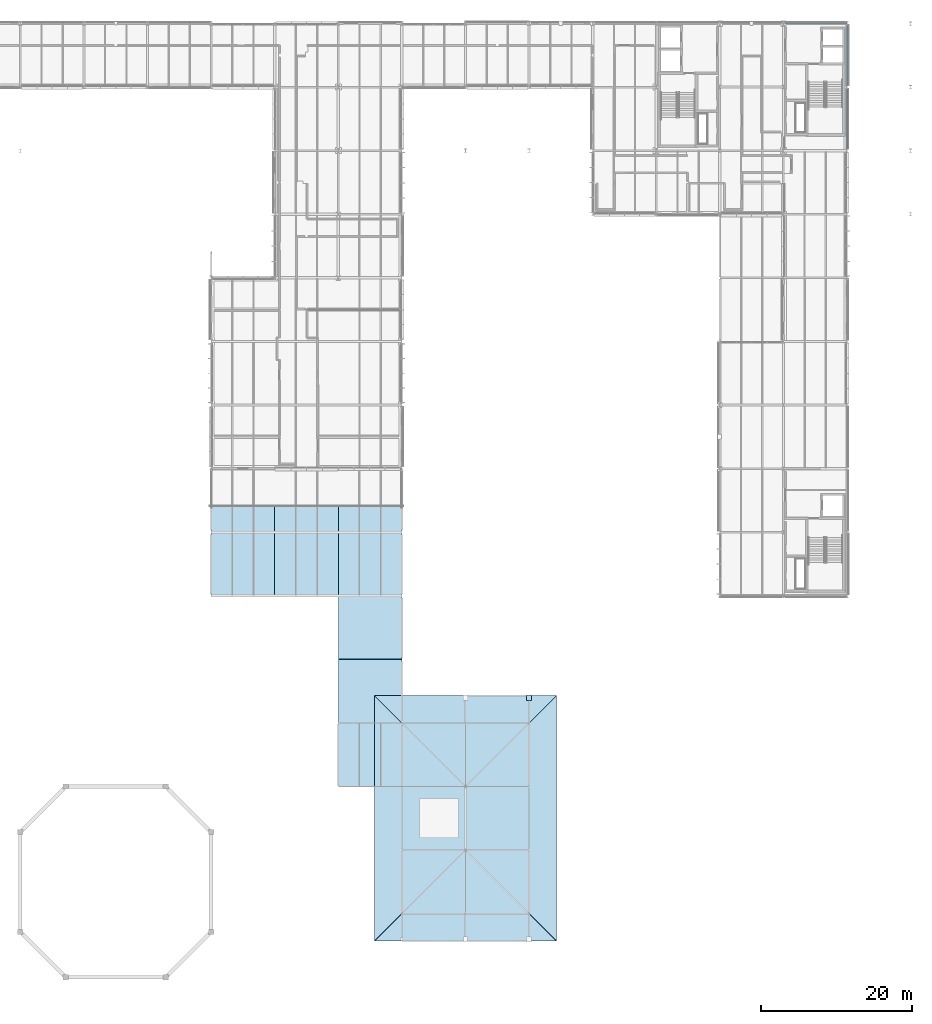
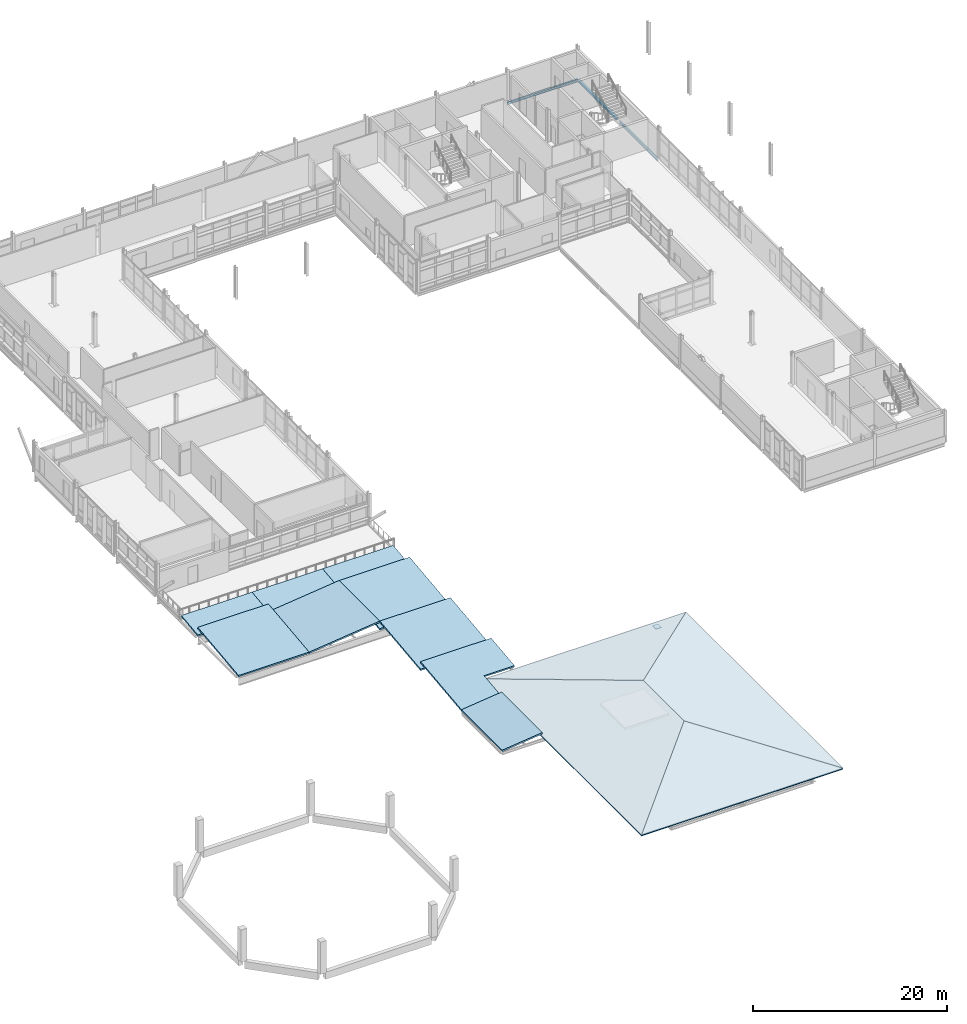
# One storey, part 73 of 103: 13 slabs, 3 beams, 1 plate, 1 element without a shape of its own.
"""IFC4 building model written with IfcOpenShell, lengths in metres."""

from ifc_helpers import new_model, si_unit, direction, frame, origin, origin_2d, place, context, subcontext, project, spatial, polyline, rectangle, i_section, outline, extrude, material, layer, layer_set, material_profile, profile_set, type_object, element, aggregate, save


model = new_model("IFC4")

# Units and contexts
model_context = context("Model", 3, precision=1e-05, world=origin(), true_north=direction((0.0, 1.0)))
body_context = subcontext(model_context, "Body", "Model", "MODEL_VIEW")
ifc_project = project(units=[si_unit("LENGTHUNIT", "METRE"), si_unit("AREAUNIT", "SQUARE_METRE"), si_unit("VOLUMEUNIT", "CUBIC_METRE"), si_unit("PLANEANGLEUNIT", "RADIAN"), si_unit("MASSUNIT", "GRAM", prefix="KILO")], contexts=[model_context])

# Site, building, storey
site_placement = place(None, origin())
site = spatial("IfcSite", under=ifc_project, at=site_placement, CompositionType="ELEMENT")
building_placement = place(site_placement, origin())
building = spatial("IfcBuilding", under=site, at=building_placement, Name="Mersafa Astral City Hall", CompositionType="ELEMENT")
storey_placement = place(building_placement, frame((0.0, 0.0, 18.0)))
storey = spatial("IfcBuildingStorey", under=building, at=storey_placement, Name="L04", CompositionType="ELEMENT", Elevation=18.0)

# Beams
ifc_material_1 = material(Name="Steel S355", Category="steel")
ifc_material_profile_1 = material_profile(ifc_material_1, i_section(OverallWidth=0.280029296875, OverallDepth=0.27001953125, WebThickness=0.008056640625, FlangeThickness=0.012939453125, FilletRadius=0.02392578125, at=origin_2d()), Name="HEA 280")
ifc_profile_set_1 = profile_set([ifc_material_profile_1], Name="Steel S355")
beam_type_1 = type_object("IfcBeamType", Name="STR-BM-SPANDREL-HEA280", PredefinedType="SPANDREL", material=ifc_profile_set_1)
beam_1_placement = place(storey_placement, frame((176.39990234375, 117.844970703125, -0.320068359375), z_axis=(0.0, 1.0, 0.0), x_axis=(-1.0, 0.0, 0.0)))
element("IfcBeam", 1, at=beam_1_placement, inside=storey, type_object=beam_type_1, Name="L04 Primary girder Y 21-14", PredefinedType="SPANDREL", context=body_context, shape_type="SweptSolid", body=[
    extrude(i_section(OverallWidth=0.280029296875, OverallDepth=0.27001953125, WebThickness=0.008056640625, FlangeThickness=0.012939453125, FilletRadius=0.02392578125, at=origin_2d()), origin(), (0.0, 0.0, 1.0), 7.909912109375),
])
ifc_material_profile_2 = material_profile(ifc_material_1, i_section(OverallWidth=0.159912109375, OverallDepth=0.330078125, WebThickness=0.007568359375, FlangeThickness=0.011474609375, FilletRadius=0.01806640625, at=origin_2d()), Name="IPE 330")
ifc_profile_set_2 = profile_set([ifc_material_profile_2], Name="Steel S355")
beam_type_2 = type_object("IfcBeamType", Name="STR-BM-SPANDREL-IPE330", PredefinedType="SPANDREL", material=ifc_profile_set_2)
beam_2_placement = place(storey_placement, frame((168.0029296875, 126.0, -0.35009765625), z_axis=(1.0, 0.0, 0.0), x_axis=(0.0, 1.0, 0.0)))
element("IfcBeam", 2, at=beam_2_placement, inside=storey, type_object=beam_type_2, Name="L04 Primary girder X 20-15", PredefinedType="SPANDREL", context=body_context, shape_type="SweptSolid", body=[
    extrude(i_section(OverallWidth=0.159912109375, OverallDepth=0.330078125, WebThickness=0.007568359375, FlangeThickness=0.011474609375, FilletRadius=0.01806640625, at=origin_2d()), origin(), (0.0, 0.0, 1.0), 8.39404296875),
])
ifc_material_profile_3 = material_profile(ifc_material_1, i_section(OverallWidth=0.169921875, OverallDepth=0.360107421875, WebThickness=0.008056640625, FlangeThickness=0.0126953125, FilletRadius=0.01806640625, at=origin_2d()), Name="IPE 360")
ifc_profile_set_3 = profile_set([ifc_material_profile_3], Name="Steel S355")
beam_type_3 = type_object("IfcBeamType", Name="STR-BM-SPANDREL-IPE360", PredefinedType="SPANDREL", material=ifc_profile_set_3)
beam_3_placement = place(storey_placement, frame((176.39990234375, 109.445068359375, -0.364990234375), z_axis=(0.0, 1.0, 0.0), x_axis=(-1.0, 0.0, 0.0)))
element("IfcBeam", 3, at=beam_3_placement, inside=storey, type_object=beam_type_3, Name="L04 Primary girder Y 21-13", PredefinedType="SPANDREL", context=body_context, shape_type="SweptSolid", body=[
    extrude(i_section(OverallWidth=0.169921875, OverallDepth=0.360107421875, WebThickness=0.008056640625, FlangeThickness=0.0126953125, FilletRadius=0.01806640625, at=origin_2d()), origin(), (0.0, 0.0, 1.0), 7.909912109375),
])

# Plate
ifc_layer_1 = layer(ifc_material_1, 0.02587890625, Name="Steel S355")
ifc_layer_set_1 = layer_set([ifc_layer_1], Name="Steel S355 — STR-PLT-NP-13")
plate_type = type_object("IfcPlateType", Name="STR-PLT-NP-13", PredefinedType="SHEET", material=ifc_layer_set_1)
plate_placement = place(storey_placement, frame((134.39990234375, 36.949951171875, -0.4228515625), z_axis=(0.0, 0.0, 1.0), x_axis=(1.0, 0.0, 0.0)))
element("IfcPlate", 4, at=plate_placement, inside=storey, type_object=plate_type, Name="L04 Structural steel eave strut node plate NP-13", PredefinedType="SHEET", context=body_context, shape_type="SweptSolid", body=[
    extrude(rectangle(XDim=0.659912109375, YDim=0.760009765625, at=origin_2d()), origin(), (0.0, 0.0, 1.0), 0.02587890625),
])

# Slabs
ifc_material_2 = material(Name="Concrete C40/50", Category="concrete")
ifc_layer_2 = layer(ifc_material_2, 0.199951171875, Name="Concrete C40/50")
ifc_layer_set_2 = layer_set([ifc_layer_2], Name="Concrete C40/50 — STR-SLAB-ROOF-200")
slab_type_1 = type_object("IfcSlabType", Name="STR-SLAB-ROOF-200", PredefinedType="ROOF", material=ifc_layer_set_2)
slab_1_placement = place(storey_placement, frame((92.39990234375, 50.39990234375, 0.0), z_axis=(0.0, -0.114252579763, 0.993451734116), x_axis=(1.0, 0.0, 0.0)))
element("IfcSlab", 5, at=slab_1_placement, inside=storey, type_object=slab_type_1, Name="L04 Scupper-sloped wing roof slab 1-1", PredefinedType="ROOF", context=body_context, shape_type="SweptSolid", body=[
    extrude(outline(polyline([(0.0, 0.0), (8.400146484375, 0.0), (8.400146484375, 8.45551544771514), (0.0, 8.45551544771514), (0.0, 0.0)])), origin(), (0.0, 0.0, -1.0), 0.199951171875),
])
slab_2_placement = place(storey_placement, frame((92.39990234375, 62.19189453125, 0.39013671875), z_axis=(0.0, -0.114268547923, 0.993449897557), x_axis=(0.0, -0.993449897557, -0.114268547923)))
element("IfcSlab", 6, at=slab_2_placement, inside=storey, type_object=slab_type_1, Name="L04 Scupper-sloped wing roof slab 1-2", PredefinedType="ROOF", context=body_context, shape_type="SweptSolid", body=[
    extrude(outline(polyline([(0.0, 0.0), (3.4142091226409295, 0.0), (3.4142091226409295, 8.400146484375), (0.0, 8.400146484375), (0.0, 0.0)])), origin(), (0.0, 0.0, -1.0), 0.199951171875),
])
slab_3_placement = place(storey_placement, frame((100.800048828125, 50.39990234375, 0.0), z_axis=(-0.11425585713, 0.0, 0.993451357194), x_axis=(0.993451357194, 0.0, 0.11425585713)))
element("IfcSlab", 7, at=slab_3_placement, inside=storey, type_object=slab_type_1, Name="L04 Scupper-sloped wing roof slab 1-3", PredefinedType="ROOF", context=body_context, shape_type="SweptSolid", body=[
    extrude(outline(polyline([(0.0, 0.0), (8.455272905833876, 0.0), (8.455272905833876, 8.400146484375002), (0.0, 8.400146484375002), (0.0, 0.0)])), origin(), (0.0, 0.0, -1.0), 0.199951171875),
])
slab_4_placement = place(storey_placement, frame((109.199951171875, 62.19189453125, 0.39013671875), z_axis=(0.0, -0.114268547923, 0.993449897557), x_axis=(-1.0, 0.0, 0.0)))
element("IfcSlab", 8, at=slab_4_placement, inside=storey, type_object=slab_type_1, Name="L04 Scupper-sloped wing roof slab 1-4", PredefinedType="ROOF", context=body_context, shape_type="SweptSolid", body=[
    extrude(outline(polyline([(0.0, 0.0), (8.39990234375, 0.0), (8.39990234375, 3.4142091226409295), (0.0, 3.4142091226409295), (0.0, 0.0)])), origin(), (0.0, 0.0, -1.0), 0.199951171875),
])
slab_5_placement = place(storey_placement, frame((113.991943359375, 25.199951171875, 0.551025390625), z_axis=(-0.114236033144, 0.0, 0.993453636931), x_axis=(0.0, 1.0, 0.0)))
element("IfcSlab", 9, at=slab_5_placement, inside=storey, type_object=slab_type_1, Name="L04 Scupper-sloped wing roof slab 1-5", PredefinedType="ROOF", context=body_context, shape_type="SweptSolid", body=[
    extrude(outline(polyline([(0.0, 0.0), (8.400146484375, 0.0), (8.400146484375, 4.8235690216036575), (0.0, 4.8235690216036575), (0.0, 0.0)])), origin(), (0.0, 0.0, -1.0), 0.199951171875),
])
slab_6_placement = place(storey_placement, frame((117.60009765625, 37.2080078125, 0.414794921875), z_axis=(1.0677446e-05, -0.114264910305, 0.993450315899), x_axis=(-2.27e-10, 0.993450315955, 0.114264910312)))
element("IfcSlab", 10, at=slab_6_placement, inside=storey, type_object=slab_type_1, Name="L04 Scupper-sloped wing roof slab 1-6", PredefinedType="ROOF", context=body_context, shape_type="SweptSolid", body=[
    extrude(outline(polyline([(0.0, 0.0), (4.823596916272513, 0.0), (4.823596918175329, 8.40014648389616), (-3.6316759873074678, 8.400146486634178), (-3.631675988392958, 3.6081542994073406), (8.173253513069961e-10, 3.6081542966693214), (0.0, 0.0)])), origin(), (0.0, 0.0, -1.0), 0.199951171875),
])
slab_7_placement = place(storey_placement, frame((109.199951171875, 50.39990234375, 0.966064453125), z_axis=(0.0, -0.11425585713, 0.993451357194), x_axis=(0.0, -0.993451357194, -0.11425585713)))
element("IfcSlab", 11, at=slab_7_placement, inside=storey, type_object=slab_type_1, Name="L04 Scupper-sloped wing roof slab 1-7", PredefinedType="ROOF", context=body_context, shape_type="SweptSolid", body=[
    extrude(outline(polyline([(0.0, 0.0), (8.455272905833876, 0.0), (8.455272905833876, 8.400146484375002), (0.0, 8.400146484375002), (0.0, 0.0)])), origin(), (0.0, 0.0, -1.0), 0.199951171875),
])
slab_8_placement = place(storey_placement, frame((117.60009765625, 50.39990234375, 0.0), z_axis=(0.0, -0.114252579763, 0.993451734116), x_axis=(0.0, 0.993451734116, 0.114252579763)))
element("IfcSlab", 12, at=slab_8_placement, inside=storey, type_object=slab_type_1, Name="L04 Scupper-sloped wing roof slab 1-8", PredefinedType="ROOF", context=body_context, shape_type="SweptSolid", body=[
    extrude(outline(polyline([(0.0, 0.0), (8.455515447715142, 0.0), (8.455515447715142, 8.400146484374998), (0.0, 8.400146484374998), (0.0, 0.0)])), origin(), (0.0, 0.0, -1.0), 0.199951171875),
])
slab_9_placement = place(storey_placement, frame((117.60009765625, 62.19189453125, 0.39013671875), z_axis=(0.0, -0.114268547923, 0.993449897557), x_axis=(-1.0, 0.0, 0.0)))
element("IfcSlab", 13, at=slab_9_placement, inside=storey, type_object=slab_type_1, Name="L04 Scupper-sloped wing roof slab 1-9", PredefinedType="ROOF", context=body_context, shape_type="SweptSolid", body=[
    extrude(outline(polyline([(0.0, 0.0), (8.400146484375, 0.0), (8.400146484375, 3.414209122640929), (0.0, 3.414209122640929), (0.0, 0.0)])), origin(), (0.0, 0.0, -1.0), 0.199951171875),
])

# Roof, slabs
ifc_material_3 = material(Name="Egyptian ceramic terracotta roof tile", Category="masonry")
roof_type = type_object("IfcRoofType", Name="ARCH-ROOF-HIP", PredefinedType="HIP_ROOF", material=ifc_material_3)
roof_placement = place(storey_placement, origin())
roof = element("IfcRoof", 14, at=roof_placement, inside=storey, type_object=roof_type, Name="L04 Warm terracotta hipped roof ROOF-T2-V3", PredefinedType="HIP_ROOF")
ifc_layer_3 = layer(ifc_material_2, 0.159912109375, Name="Concrete C40/50")
ifc_layer_set_3 = layer_set([ifc_layer_3], Name="Concrete C40/50 — STR-SLAB-ROOF-HIP-160")
slab_type_2 = type_object("IfcSlabType", Name="STR-SLAB-ROOF-HIP-160", PredefinedType="ROOF", material=ifc_layer_set_3)
slab_10_placement = place(storey_placement, frame((114.0, 4.800048828125, 0.0), z_axis=(0.0, -0.23343879534, 0.972371497335), x_axis=(1.0, 0.0, 0.0)))
slab_10 = element("IfcSlab", 15, at=slab_10_placement, type_object=slab_type_2, Name="L04 Sloped hipped roof slab ROOF-T2-V3 S", PredefinedType="ROOF", context=body_context, shape_type="SweptSolid", body=[
    extrude(outline(polyline([(0.0, 0.0), (24.0, 0.0), (12.0, 12.340962310068262), (0.0, 0.0)])), origin(), (0.0, 0.0, -1.0), 0.159912109375),
])
slab_11_placement = place(storey_placement, frame((138.0, 37.199951171875, 0.0), z_axis=(0.0, 0.23343879534, 0.972371497335), x_axis=(-1.0, 0.0, 0.0)))
slab_11 = element("IfcSlab", 16, at=slab_11_placement, type_object=slab_type_2, Name="L04 Sloped hipped roof slab ROOF-T2-V3 N", PredefinedType="ROOF", context=body_context, shape_type="SweptSolid", body=[
    extrude(outline(polyline([(0.0, 0.0), (24.0, 0.0), (12.0, 12.340962310068262), (0.0, 0.0)])), origin(), (0.0, 0.0, -1.0), 0.159912109375),
])
slab_12_placement = place(storey_placement, frame((114.0, 37.199951171875, 0.0), z_axis=(-0.23343879534, 0.0, 0.972371497335), x_axis=(0.0, -1.0, 0.0)))
slab_12 = element("IfcSlab", 17, at=slab_12_placement, type_object=slab_type_2, Name="L04 Sloped hipped roof slab ROOF-T2-V3 W", PredefinedType="ROOF", context=body_context, shape_type="SweptSolid", body=[
    extrude(outline(polyline([(0.0, 0.0), (32.39990234375, 0.0), (20.39990234375, 12.340962310068264), (12.0, 12.340962310068264), (0.0, 0.0)])), origin(), (0.0, 0.0, -1.0), 0.159912109375),
])
slab_13_placement = place(storey_placement, frame((138.0, 4.800048828125, 0.0), z_axis=(0.23343879534, 0.0, 0.972371497335), x_axis=(0.0, 1.0, 0.0)))
slab_13 = element("IfcSlab", 18, at=slab_13_placement, type_object=slab_type_2, Name="L04 Sloped hipped roof slab ROOF-T2-V3 E", PredefinedType="ROOF", context=body_context, shape_type="SweptSolid", body=[
    extrude(outline(polyline([(0.0, 0.0), (32.39990234375, 0.0), (20.39990234375, 12.340962310068264), (12.0, 12.340962310068264), (0.0, 0.0)])), origin(), (0.0, 0.0, -1.0), 0.159912109375),
])
aggregate(roof, [slab_10, slab_11, slab_12, slab_13])

save(model, "model.ifc")
